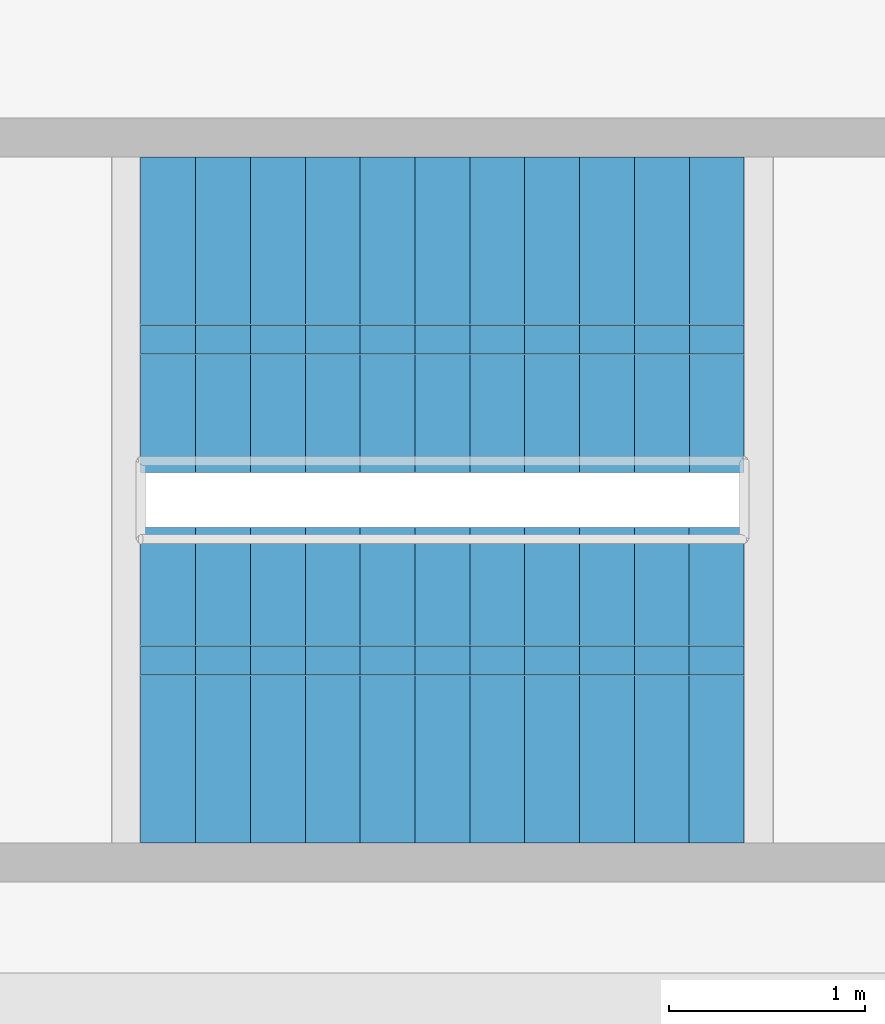
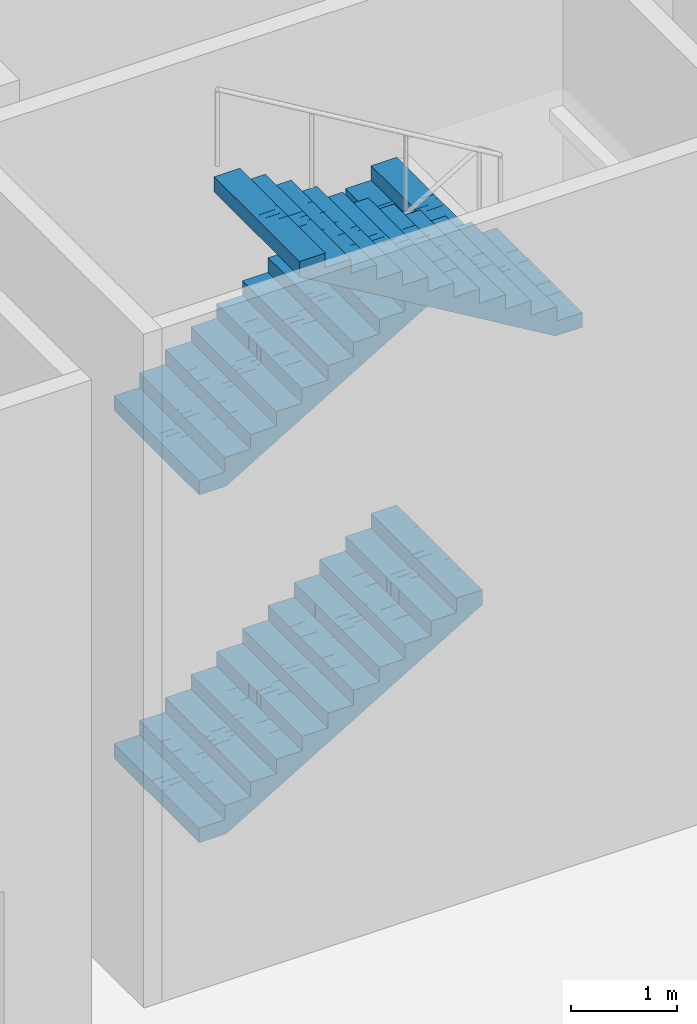
# One storey, part 21 of 25: 3 stair flights, 1 element without a shape of its own.
"""IFC4 building model written with IfcOpenShell, lengths in metres."""

from ifc_helpers import new_model, si_unit, direction, frame, origin, place, context, subcontext, project, spatial, polyline, outline, extrude, material, type_object, element, aggregate, save


model = new_model("IFC4")

# Units and contexts
model_context = context("Model", 3, precision=1e-05, world=origin(), true_north=direction((0.0, 1.0)))
body_context = subcontext(model_context, "Body", "Model", "MODEL_VIEW")
ifc_project = project(units=[si_unit("LENGTHUNIT", "METRE"), si_unit("AREAUNIT", "SQUARE_METRE"), si_unit("VOLUMEUNIT", "CUBIC_METRE"), si_unit("PLANEANGLEUNIT", "RADIAN"), si_unit("MASSUNIT", "GRAM", prefix="KILO")], contexts=[model_context])

# Site, building, storey
site_placement = place(None, origin())
site = spatial("IfcSite", under=ifc_project, at=site_placement, CompositionType="ELEMENT")
building_placement = place(site_placement, origin())
building = spatial("IfcBuilding", under=site, at=building_placement, Name="Mizan Broadcast Tower", CompositionType="ELEMENT")
storey_placement = place(building_placement, frame((0.0, 0.0, 7.0)))
storey = spatial("IfcBuildingStorey", under=building, at=storey_placement, Name="L01", CompositionType="ELEMENT", Elevation=7.0)

# Stair, stair flights
ifc_material_1 = material(Name="Concrete C40/50", Category="concrete")
stair_type = type_object("IfcStairType", Name="EXIT STAIR", PredefinedType="HALF_TURN_STAIR", material=ifc_material_1)
stair_placement = place(storey_placement, origin())
stair = element("IfcStair", 1, at=stair_placement, inside=storey, type_object=stair_type, Name="Stair D L01", PredefinedType="HALF_TURN_STAIR")
ifc_material_2 = material(Name="Concrete C40/50", Category="concrete")
stair_flight_type = type_object("IfcStairFlightType", Name="EXIT STAIR FLIGHT", PredefinedType="STRAIGHT", material=ifc_material_2)
stair_flight_1_placement = place(storey_placement, frame((-24.889892578125, -2.205078125, 0.0), z_axis=(0.0, 0.0, 1.0), x_axis=(1.0, 0.0, 0.0)))
stair_flight_1 = element("IfcStairFlight", 2, at=stair_flight_1_placement, type_object=stair_flight_type, Name="D flight 1", NumberOfRisers=12, NumberOfTreads=11, PredefinedType="STRAIGHT", RiserHeight=0.166666667, TreadLength=0.28, context=body_context, shape_type="SweptSolid", body=[
    extrude(outline(polyline([(0.0, 0.0), (0.0, 0.166748046875), (0.280029296875, 0.166748046875), (0.280029296875, 0.333251953125), (0.56005859375, 0.333251953125), (0.56005859375, 0.5), (0.840087890625, 0.5), (0.840087890625, 0.666748046875), (1.1201171875, 0.666748046875), (1.1201171875, 0.833251953125), (1.39990234375, 0.833251953125), (1.39990234375, 1.0), (1.679931640625, 1.0), (1.679931640625, 1.166748046875), (1.9599609375, 1.166748046875), (1.9599609375, 1.333251953125), (2.239990234375, 1.333251953125), (2.239990234375, 1.5), (2.52001953125, 1.5), (2.52001953125, 1.666748046875), (2.800048828125, 1.666748046875), (2.800048828125, 1.833251953125), (3.080078125, 1.833251953125), (3.080078125, 2.0), (3.080078125, 1.658935546875), (0.29296875, 0.0), (0.0, 0.0)])), frame((0.0, 0.80517578125, 0.0), z_axis=(0.0, -1.0, 0.0), x_axis=(1.0, 0.0, 0.0)), (0.0, 0.0, 1.0), 0.40234375),
    extrude(outline(polyline([(0.0, 0.0), (0.0, 0.166748046875), (0.280029296875, 0.166748046875), (0.280029296875, 0.333251953125), (0.56005859375, 0.333251953125), (0.56005859375, 0.5), (0.840087890625, 0.5), (0.840087890625, 0.666748046875), (1.1201171875, 0.666748046875), (1.1201171875, 0.833251953125), (1.39990234375, 0.833251953125), (1.39990234375, 1.0), (1.679931640625, 1.0), (1.679931640625, 1.166748046875), (1.9599609375, 1.166748046875), (1.9599609375, 1.333251953125), (2.239990234375, 1.333251953125), (2.239990234375, 1.5), (2.52001953125, 1.5), (2.52001953125, 1.666748046875), (2.800048828125, 1.666748046875), (2.800048828125, 1.833251953125), (3.080078125, 1.833251953125), (3.080078125, 2.0), (3.080078125, 1.658935546875), (0.29296875, 0.0), (0.0, 0.0)])), frame((0.0, 0.40234375, 0.0), z_axis=(0.0, -1.0, 0.0), x_axis=(1.0, 0.0, 0.0)), (0.0, 0.0, 1.0), 0.20068359375),
    extrude(outline(polyline([(0.0, 0.0), (0.0, 0.166748046875), (0.280029296875, 0.166748046875), (0.280029296875, 0.333251953125), (0.56005859375, 0.333251953125), (0.56005859375, 0.5), (0.840087890625, 0.5), (0.840087890625, 0.666748046875), (1.1201171875, 0.666748046875), (1.1201171875, 0.833251953125), (1.39990234375, 0.833251953125), (1.39990234375, 1.0), (1.679931640625, 1.0), (1.679931640625, 1.166748046875), (1.9599609375, 1.166748046875), (1.9599609375, 1.333251953125), (2.239990234375, 1.333251953125), (2.239990234375, 1.5), (2.52001953125, 1.5), (2.52001953125, 1.666748046875), (2.800048828125, 1.666748046875), (2.800048828125, 1.833251953125), (3.080078125, 1.833251953125), (3.080078125, 2.0), (3.080078125, 1.658935546875), (0.29296875, 0.0), (0.0, 0.0)])), frame((0.0, 0.201171875, 0.0), z_axis=(0.0, -1.0, 0.0), x_axis=(1.0, 0.0, 0.0)), (0.0, 0.0, 1.0), 0.10009765625),
    extrude(outline(polyline([(0.0, 0.0), (0.0, 0.166748046875), (0.280029296875, 0.166748046875), (0.280029296875, 0.333251953125), (0.56005859375, 0.333251953125), (0.56005859375, 0.5), (0.840087890625, 0.5), (0.840087890625, 0.666748046875), (1.1201171875, 0.666748046875), (1.1201171875, 0.833251953125), (1.39990234375, 0.833251953125), (1.39990234375, 1.0), (1.679931640625, 1.0), (1.679931640625, 1.166748046875), (1.9599609375, 1.166748046875), (1.9599609375, 1.333251953125), (2.239990234375, 1.333251953125), (2.239990234375, 1.5), (2.52001953125, 1.5), (2.52001953125, 1.666748046875), (2.800048828125, 1.666748046875), (2.800048828125, 1.833251953125), (3.080078125, 1.833251953125), (3.080078125, 2.0), (3.080078125, 1.658935546875), (0.29296875, 0.0), (0.0, 0.0)])), frame((0.0, 0.1005859375, 0.0), z_axis=(0.0, -1.0, 0.0), x_axis=(1.0, 0.0, 0.0)), (0.0, 0.0, 1.0), 0.0498046875),
    extrude(outline(polyline([(0.0, 0.0), (0.0, 0.166748046875), (0.280029296875, 0.166748046875), (0.280029296875, 0.333251953125), (0.56005859375, 0.333251953125), (0.56005859375, 0.5), (0.840087890625, 0.5), (0.840087890625, 0.666748046875), (1.1201171875, 0.666748046875), (1.1201171875, 0.833251953125), (1.39990234375, 0.833251953125), (1.39990234375, 1.0), (1.679931640625, 1.0), (1.679931640625, 1.166748046875), (1.9599609375, 1.166748046875), (1.9599609375, 1.333251953125), (2.239990234375, 1.333251953125), (2.239990234375, 1.5), (2.52001953125, 1.5), (2.52001953125, 1.666748046875), (2.800048828125, 1.666748046875), (2.800048828125, 1.833251953125), (3.080078125, 1.833251953125), (3.080078125, 2.0), (3.080078125, 1.658935546875), (0.29296875, 0.0), (0.0, 0.0)])), frame((0.0, 0.05029296875, 0.0), z_axis=(0.0, -1.0, 0.0), x_axis=(1.0, 0.0, 0.0)), (0.0, 0.0, 1.0), 0.024658203125),
    extrude(outline(polyline([(0.0, 0.0), (0.0, 0.166748046875), (0.280029296875, 0.166748046875), (0.280029296875, 0.333251953125), (0.56005859375, 0.333251953125), (0.56005859375, 0.5), (0.840087890625, 0.5), (0.840087890625, 0.666748046875), (1.1201171875, 0.666748046875), (1.1201171875, 0.833251953125), (1.39990234375, 0.833251953125), (1.39990234375, 1.0), (1.679931640625, 1.0), (1.679931640625, 1.166748046875), (1.9599609375, 1.166748046875), (1.9599609375, 1.333251953125), (2.239990234375, 1.333251953125), (2.239990234375, 1.5), (2.52001953125, 1.5), (2.52001953125, 1.666748046875), (2.800048828125, 1.666748046875), (2.800048828125, 1.833251953125), (3.080078125, 1.833251953125), (3.080078125, 2.0), (3.080078125, 1.658935546875), (0.29296875, 0.0), (0.0, 0.0)])), frame((0.0, 0.025146484375, 0.0), z_axis=(0.0, -1.0, 0.0), x_axis=(1.0, 0.0, 0.0)), (0.0, 0.0, 1.0), 0.050048828125),
    extrude(outline(polyline([(0.0, 0.0), (0.0, 0.166748046875), (0.280029296875, 0.166748046875), (0.280029296875, 0.333251953125), (0.56005859375, 0.333251953125), (0.56005859375, 0.5), (0.840087890625, 0.5), (0.840087890625, 0.666748046875), (1.1201171875, 0.666748046875), (1.1201171875, 0.833251953125), (1.39990234375, 0.833251953125), (1.39990234375, 1.0), (1.679931640625, 1.0), (1.679931640625, 1.166748046875), (1.9599609375, 1.166748046875), (1.9599609375, 1.333251953125), (2.239990234375, 1.333251953125), (2.239990234375, 1.5), (2.52001953125, 1.5), (2.52001953125, 1.666748046875), (2.800048828125, 1.666748046875), (2.800048828125, 1.833251953125), (3.080078125, 1.833251953125), (3.080078125, 2.0), (3.080078125, 1.658935546875), (0.29296875, 0.0), (0.0, 0.0)])), frame((0.0, -0.025390625, 0.0), z_axis=(0.0, -1.0, 0.0), x_axis=(1.0, 0.0, 0.0)), (0.0, 0.0, 1.0), 0.024658203125),
    extrude(outline(polyline([(0.0, 0.0), (0.0, 0.166748046875), (0.280029296875, 0.166748046875), (0.280029296875, 0.333251953125), (0.56005859375, 0.333251953125), (0.56005859375, 0.5), (0.840087890625, 0.5), (0.840087890625, 0.666748046875), (1.1201171875, 0.666748046875), (1.1201171875, 0.833251953125), (1.39990234375, 0.833251953125), (1.39990234375, 1.0), (1.679931640625, 1.0), (1.679931640625, 1.166748046875), (1.9599609375, 1.166748046875), (1.9599609375, 1.333251953125), (2.239990234375, 1.333251953125), (2.239990234375, 1.5), (2.52001953125, 1.5), (2.52001953125, 1.666748046875), (2.800048828125, 1.666748046875), (2.800048828125, 1.833251953125), (3.080078125, 1.833251953125), (3.080078125, 2.0), (3.080078125, 1.658935546875), (0.29296875, 0.0), (0.0, 0.0)])), frame((0.0, -0.050537109375, 0.0), z_axis=(0.0, -1.0, 0.0), x_axis=(1.0, 0.0, 0.0)), (0.0, 0.0, 1.0), 0.0498046875),
    extrude(outline(polyline([(0.0, 0.0), (0.0, 0.166748046875), (0.280029296875, 0.166748046875), (0.280029296875, 0.333251953125), (0.56005859375, 0.333251953125), (0.56005859375, 0.5), (0.840087890625, 0.5), (0.840087890625, 0.666748046875), (1.1201171875, 0.666748046875), (1.1201171875, 0.833251953125), (1.39990234375, 0.833251953125), (1.39990234375, 1.0), (1.679931640625, 1.0), (1.679931640625, 1.166748046875), (1.9599609375, 1.166748046875), (1.9599609375, 1.333251953125), (2.239990234375, 1.333251953125), (2.239990234375, 1.5), (2.52001953125, 1.5), (2.52001953125, 1.666748046875), (2.800048828125, 1.666748046875), (2.800048828125, 1.833251953125), (3.080078125, 1.833251953125), (3.080078125, 2.0), (3.080078125, 1.658935546875), (0.29296875, 0.0), (0.0, 0.0)])), frame((0.0, -0.100830078125, 0.0), z_axis=(0.0, -1.0, 0.0), x_axis=(1.0, 0.0, 0.0)), (0.0, 0.0, 1.0), 0.10009765625),
    extrude(outline(polyline([(0.0, 0.0), (0.0, 0.166748046875), (0.280029296875, 0.166748046875), (0.280029296875, 0.333251953125), (0.56005859375, 0.333251953125), (0.56005859375, 0.5), (0.840087890625, 0.5), (0.840087890625, 0.666748046875), (1.1201171875, 0.666748046875), (1.1201171875, 0.833251953125), (1.39990234375, 0.833251953125), (1.39990234375, 1.0), (1.679931640625, 1.0), (1.679931640625, 1.166748046875), (1.9599609375, 1.166748046875), (1.9599609375, 1.333251953125), (2.239990234375, 1.333251953125), (2.239990234375, 1.5), (2.52001953125, 1.5), (2.52001953125, 1.666748046875), (2.800048828125, 1.666748046875), (2.800048828125, 1.833251953125), (3.080078125, 1.833251953125), (3.080078125, 2.0), (3.080078125, 1.658935546875), (0.29296875, 0.0), (0.0, 0.0)])), frame((0.0, -0.201416015625, 0.0), z_axis=(0.0, -1.0, 0.0), x_axis=(1.0, 0.0, 0.0)), (0.0, 0.0, 1.0), 0.20068359375),
    extrude(outline(polyline([(0.0, 0.0), (0.0, 0.166748046875), (0.280029296875, 0.166748046875), (0.280029296875, 0.333251953125), (0.56005859375, 0.333251953125), (0.56005859375, 0.5), (0.840087890625, 0.5), (0.840087890625, 0.666748046875), (1.1201171875, 0.666748046875), (1.1201171875, 0.833251953125), (1.39990234375, 0.833251953125), (1.39990234375, 1.0), (1.679931640625, 1.0), (1.679931640625, 1.166748046875), (1.9599609375, 1.166748046875), (1.9599609375, 1.333251953125), (2.239990234375, 1.333251953125), (2.239990234375, 1.5), (2.52001953125, 1.5), (2.52001953125, 1.666748046875), (2.800048828125, 1.666748046875), (2.800048828125, 1.833251953125), (3.080078125, 1.833251953125), (3.080078125, 2.0), (3.080078125, 1.658935546875), (0.29296875, 0.0), (0.0, 0.0)])), frame((0.0, -0.402587890625, 0.0), z_axis=(0.0, -1.0, 0.0), x_axis=(1.0, 0.0, 0.0)), (0.0, 0.0, 1.0), 0.40234375),
])
stair_flight_2_placement = place(storey_placement, frame((-24.889892578125, -2.205078125, 4.0), z_axis=(0.0, 0.0, 1.0), x_axis=(1.0, 0.0, 0.0)))
stair_flight_2 = element("IfcStairFlight", 3, at=stair_flight_2_placement, type_object=stair_flight_type, Name="D flight 3", NumberOfRisers=12, NumberOfTreads=11, PredefinedType="STRAIGHT", RiserHeight=0.166666667, TreadLength=0.28, context=body_context, shape_type="SweptSolid", body=[
    extrude(outline(polyline([(0.0, 0.0), (0.0, 0.166748046875), (0.280029296875, 0.166748046875), (0.280029296875, 0.333251953125), (0.56005859375, 0.333251953125), (0.56005859375, 0.5), (0.840087890625, 0.5), (0.840087890625, 0.666748046875), (1.1201171875, 0.666748046875), (1.1201171875, 0.833251953125), (1.39990234375, 0.833251953125), (1.39990234375, 1.0), (1.679931640625, 1.0), (1.679931640625, 1.166748046875), (1.9599609375, 1.166748046875), (1.9599609375, 1.333251953125), (2.239990234375, 1.333251953125), (2.239990234375, 1.5), (2.52001953125, 1.5), (2.52001953125, 1.666748046875), (2.800048828125, 1.666748046875), (2.800048828125, 1.833251953125), (3.080078125, 1.833251953125), (3.080078125, 2.0), (3.080078125, 1.658935546875), (0.29296875, 0.0), (0.0, 0.0)])), frame((0.0, 0.80517578125, 0.0), z_axis=(0.0, -1.0, 0.0), x_axis=(1.0, 0.0, 0.0)), (0.0, 0.0, 1.0), 0.40234375),
    extrude(outline(polyline([(0.0, 0.0), (0.0, 0.166748046875), (0.280029296875, 0.166748046875), (0.280029296875, 0.333251953125), (0.56005859375, 0.333251953125), (0.56005859375, 0.5), (0.840087890625, 0.5), (0.840087890625, 0.666748046875), (1.1201171875, 0.666748046875), (1.1201171875, 0.833251953125), (1.39990234375, 0.833251953125), (1.39990234375, 1.0), (1.679931640625, 1.0), (1.679931640625, 1.166748046875), (1.9599609375, 1.166748046875), (1.9599609375, 1.333251953125), (2.239990234375, 1.333251953125), (2.239990234375, 1.5), (2.52001953125, 1.5), (2.52001953125, 1.666748046875), (2.800048828125, 1.666748046875), (2.800048828125, 1.833251953125), (3.080078125, 1.833251953125), (3.080078125, 2.0), (3.080078125, 1.658935546875), (0.29296875, 0.0), (0.0, 0.0)])), frame((0.0, 0.40234375, 0.0), z_axis=(0.0, -1.0, 0.0), x_axis=(1.0, 0.0, 0.0)), (0.0, 0.0, 1.0), 0.20068359375),
    extrude(outline(polyline([(0.0, 0.0), (0.0, 0.166748046875), (0.280029296875, 0.166748046875), (0.280029296875, 0.333251953125), (0.56005859375, 0.333251953125), (0.56005859375, 0.5), (0.840087890625, 0.5), (0.840087890625, 0.666748046875), (1.1201171875, 0.666748046875), (1.1201171875, 0.833251953125), (1.39990234375, 0.833251953125), (1.39990234375, 1.0), (1.679931640625, 1.0), (1.679931640625, 1.166748046875), (1.9599609375, 1.166748046875), (1.9599609375, 1.333251953125), (2.239990234375, 1.333251953125), (2.239990234375, 1.5), (2.52001953125, 1.5), (2.52001953125, 1.666748046875), (2.800048828125, 1.666748046875), (2.800048828125, 1.833251953125), (3.080078125, 1.833251953125), (3.080078125, 2.0), (3.080078125, 1.658935546875), (0.29296875, 0.0), (0.0, 0.0)])), frame((0.0, 0.201171875, 0.0), z_axis=(0.0, -1.0, 0.0), x_axis=(1.0, 0.0, 0.0)), (0.0, 0.0, 1.0), 0.10009765625),
    extrude(outline(polyline([(0.0, 0.0), (0.0, 0.166748046875), (0.280029296875, 0.166748046875), (0.280029296875, 0.333251953125), (0.56005859375, 0.333251953125), (0.56005859375, 0.5), (0.840087890625, 0.5), (0.840087890625, 0.666748046875), (1.1201171875, 0.666748046875), (1.1201171875, 0.833251953125), (1.39990234375, 0.833251953125), (1.39990234375, 1.0), (1.679931640625, 1.0), (1.679931640625, 1.166748046875), (1.9599609375, 1.166748046875), (1.9599609375, 1.333251953125), (2.239990234375, 1.333251953125), (2.239990234375, 1.5), (2.52001953125, 1.5), (2.52001953125, 1.666748046875), (2.800048828125, 1.666748046875), (2.800048828125, 1.833251953125), (3.080078125, 1.833251953125), (3.080078125, 2.0), (3.080078125, 1.658935546875), (0.29296875, 0.0), (0.0, 0.0)])), frame((0.0, 0.1005859375, 0.0), z_axis=(0.0, -1.0, 0.0), x_axis=(1.0, 0.0, 0.0)), (0.0, 0.0, 1.0), 0.0498046875),
    extrude(outline(polyline([(0.0, 0.0), (0.0, 0.166748046875), (0.280029296875, 0.166748046875), (0.280029296875, 0.333251953125), (0.56005859375, 0.333251953125), (0.56005859375, 0.5), (0.840087890625, 0.5), (0.840087890625, 0.666748046875), (1.1201171875, 0.666748046875), (1.1201171875, 0.833251953125), (1.39990234375, 0.833251953125), (1.39990234375, 1.0), (1.679931640625, 1.0), (1.679931640625, 1.166748046875), (1.9599609375, 1.166748046875), (1.9599609375, 1.333251953125), (2.239990234375, 1.333251953125), (2.239990234375, 1.5), (2.52001953125, 1.5), (2.52001953125, 1.666748046875), (2.800048828125, 1.666748046875), (2.800048828125, 1.833251953125), (3.080078125, 1.833251953125), (3.080078125, 2.0), (3.080078125, 1.658935546875), (0.29296875, 0.0), (0.0, 0.0)])), frame((0.0, 0.05029296875, 0.0), z_axis=(0.0, -1.0, 0.0), x_axis=(1.0, 0.0, 0.0)), (0.0, 0.0, 1.0), 0.024658203125),
    extrude(outline(polyline([(0.0, 0.0), (0.0, 0.166748046875), (0.280029296875, 0.166748046875), (0.280029296875, 0.333251953125), (0.56005859375, 0.333251953125), (0.56005859375, 0.5), (0.840087890625, 0.5), (0.840087890625, 0.666748046875), (1.1201171875, 0.666748046875), (1.1201171875, 0.833251953125), (1.39990234375, 0.833251953125), (1.39990234375, 1.0), (1.679931640625, 1.0), (1.679931640625, 1.166748046875), (1.9599609375, 1.166748046875), (1.9599609375, 1.333251953125), (2.239990234375, 1.333251953125), (2.239990234375, 1.5), (2.52001953125, 1.5), (2.52001953125, 1.666748046875), (2.800048828125, 1.666748046875), (2.800048828125, 1.833251953125), (3.080078125, 1.833251953125), (3.080078125, 2.0), (3.080078125, 1.658935546875), (0.29296875, 0.0), (0.0, 0.0)])), frame((0.0, 0.025146484375, 0.0), z_axis=(0.0, -1.0, 0.0), x_axis=(1.0, 0.0, 0.0)), (0.0, 0.0, 1.0), 0.050048828125),
    extrude(outline(polyline([(0.0, 0.0), (0.0, 0.166748046875), (0.280029296875, 0.166748046875), (0.280029296875, 0.333251953125), (0.56005859375, 0.333251953125), (0.56005859375, 0.5), (0.840087890625, 0.5), (0.840087890625, 0.666748046875), (1.1201171875, 0.666748046875), (1.1201171875, 0.833251953125), (1.39990234375, 0.833251953125), (1.39990234375, 1.0), (1.679931640625, 1.0), (1.679931640625, 1.166748046875), (1.9599609375, 1.166748046875), (1.9599609375, 1.333251953125), (2.239990234375, 1.333251953125), (2.239990234375, 1.5), (2.52001953125, 1.5), (2.52001953125, 1.666748046875), (2.800048828125, 1.666748046875), (2.800048828125, 1.833251953125), (3.080078125, 1.833251953125), (3.080078125, 2.0), (3.080078125, 1.658935546875), (0.29296875, 0.0), (0.0, 0.0)])), frame((0.0, -0.025390625, 0.0), z_axis=(0.0, -1.0, 0.0), x_axis=(1.0, 0.0, 0.0)), (0.0, 0.0, 1.0), 0.024658203125),
    extrude(outline(polyline([(0.0, 0.0), (0.0, 0.166748046875), (0.280029296875, 0.166748046875), (0.280029296875, 0.333251953125), (0.56005859375, 0.333251953125), (0.56005859375, 0.5), (0.840087890625, 0.5), (0.840087890625, 0.666748046875), (1.1201171875, 0.666748046875), (1.1201171875, 0.833251953125), (1.39990234375, 0.833251953125), (1.39990234375, 1.0), (1.679931640625, 1.0), (1.679931640625, 1.166748046875), (1.9599609375, 1.166748046875), (1.9599609375, 1.333251953125), (2.239990234375, 1.333251953125), (2.239990234375, 1.5), (2.52001953125, 1.5), (2.52001953125, 1.666748046875), (2.800048828125, 1.666748046875), (2.800048828125, 1.833251953125), (3.080078125, 1.833251953125), (3.080078125, 2.0), (3.080078125, 1.658935546875), (0.29296875, 0.0), (0.0, 0.0)])), frame((0.0, -0.050537109375, 0.0), z_axis=(0.0, -1.0, 0.0), x_axis=(1.0, 0.0, 0.0)), (0.0, 0.0, 1.0), 0.0498046875),
    extrude(outline(polyline([(0.0, 0.0), (0.0, 0.166748046875), (0.280029296875, 0.166748046875), (0.280029296875, 0.333251953125), (0.56005859375, 0.333251953125), (0.56005859375, 0.5), (0.840087890625, 0.5), (0.840087890625, 0.666748046875), (1.1201171875, 0.666748046875), (1.1201171875, 0.833251953125), (1.39990234375, 0.833251953125), (1.39990234375, 1.0), (1.679931640625, 1.0), (1.679931640625, 1.166748046875), (1.9599609375, 1.166748046875), (1.9599609375, 1.333251953125), (2.239990234375, 1.333251953125), (2.239990234375, 1.5), (2.52001953125, 1.5), (2.52001953125, 1.666748046875), (2.800048828125, 1.666748046875), (2.800048828125, 1.833251953125), (3.080078125, 1.833251953125), (3.080078125, 2.0), (3.080078125, 1.658935546875), (0.29296875, 0.0), (0.0, 0.0)])), frame((0.0, -0.100830078125, 0.0), z_axis=(0.0, -1.0, 0.0), x_axis=(1.0, 0.0, 0.0)), (0.0, 0.0, 1.0), 0.10009765625),
    extrude(outline(polyline([(0.0, 0.0), (0.0, 0.166748046875), (0.280029296875, 0.166748046875), (0.280029296875, 0.333251953125), (0.56005859375, 0.333251953125), (0.56005859375, 0.5), (0.840087890625, 0.5), (0.840087890625, 0.666748046875), (1.1201171875, 0.666748046875), (1.1201171875, 0.833251953125), (1.39990234375, 0.833251953125), (1.39990234375, 1.0), (1.679931640625, 1.0), (1.679931640625, 1.166748046875), (1.9599609375, 1.166748046875), (1.9599609375, 1.333251953125), (2.239990234375, 1.333251953125), (2.239990234375, 1.5), (2.52001953125, 1.5), (2.52001953125, 1.666748046875), (2.800048828125, 1.666748046875), (2.800048828125, 1.833251953125), (3.080078125, 1.833251953125), (3.080078125, 2.0), (3.080078125, 1.658935546875), (0.29296875, 0.0), (0.0, 0.0)])), frame((0.0, -0.201416015625, 0.0), z_axis=(0.0, -1.0, 0.0), x_axis=(1.0, 0.0, 0.0)), (0.0, 0.0, 1.0), 0.20068359375),
    extrude(outline(polyline([(0.0, 0.0), (0.0, 0.166748046875), (0.280029296875, 0.166748046875), (0.280029296875, 0.333251953125), (0.56005859375, 0.333251953125), (0.56005859375, 0.5), (0.840087890625, 0.5), (0.840087890625, 0.666748046875), (1.1201171875, 0.666748046875), (1.1201171875, 0.833251953125), (1.39990234375, 0.833251953125), (1.39990234375, 1.0), (1.679931640625, 1.0), (1.679931640625, 1.166748046875), (1.9599609375, 1.166748046875), (1.9599609375, 1.333251953125), (2.239990234375, 1.333251953125), (2.239990234375, 1.5), (2.52001953125, 1.5), (2.52001953125, 1.666748046875), (2.800048828125, 1.666748046875), (2.800048828125, 1.833251953125), (3.080078125, 1.833251953125), (3.080078125, 2.0), (3.080078125, 1.658935546875), (0.29296875, 0.0), (0.0, 0.0)])), frame((0.0, -0.402587890625, 0.0), z_axis=(0.0, -1.0, 0.0), x_axis=(1.0, 0.0, 0.0)), (0.0, 0.0, 1.0), 0.40234375),
])
stair_flight_3_placement = place(storey_placement, frame((-21.81005859375, -4.094970703125, 6.0), z_axis=(0.0, 0.0, 1.0), x_axis=(-1.0, 0.0, 0.0)))
stair_flight_3 = element("IfcStairFlight", 4, at=stair_flight_3_placement, type_object=stair_flight_type, Name="D flight 4", NumberOfRisers=12, NumberOfTreads=11, PredefinedType="STRAIGHT", RiserHeight=0.166666667, TreadLength=0.28, context=body_context, shape_type="SweptSolid", body=[
    extrude(outline(polyline([(0.0, 0.0), (0.0, 0.166748046875), (0.280029296875, 0.166748046875), (0.280029296875, 0.333251953125), (0.56005859375, 0.333251953125), (0.56005859375, 0.5), (0.840087890625, 0.5), (0.840087890625, 0.666748046875), (1.1201171875, 0.666748046875), (1.1201171875, 0.833251953125), (1.39990234375, 0.833251953125), (1.39990234375, 1.0), (1.679931640625, 1.0), (1.679931640625, 1.166748046875), (1.9599609375, 1.166748046875), (1.9599609375, 1.333251953125), (2.239990234375, 1.333251953125), (2.239990234375, 1.5), (2.52001953125, 1.5), (2.52001953125, 1.666748046875), (2.800048828125, 1.666748046875), (2.800048828125, 1.833251953125), (3.080078125, 1.833251953125), (3.080078125, 2.0), (3.080078125, 1.658935546875), (0.29296875, 0.0), (0.0, 0.0)])), frame((0.0, 0.80517578125, 0.0), z_axis=(0.0, -1.0, 0.0), x_axis=(1.0, 0.0, 0.0)), (0.0, 0.0, 1.0), 0.40234375),
    extrude(outline(polyline([(0.0, 0.0), (0.0, 0.166748046875), (0.280029296875, 0.166748046875), (0.280029296875, 0.333251953125), (0.56005859375, 0.333251953125), (0.56005859375, 0.5), (0.840087890625, 0.5), (0.840087890625, 0.666748046875), (1.1201171875, 0.666748046875), (1.1201171875, 0.833251953125), (1.39990234375, 0.833251953125), (1.39990234375, 1.0), (1.679931640625, 1.0), (1.679931640625, 1.166748046875), (1.9599609375, 1.166748046875), (1.9599609375, 1.333251953125), (2.239990234375, 1.333251953125), (2.239990234375, 1.5), (2.52001953125, 1.5), (2.52001953125, 1.666748046875), (2.800048828125, 1.666748046875), (2.800048828125, 1.833251953125), (3.080078125, 1.833251953125), (3.080078125, 2.0), (3.080078125, 1.658935546875), (0.29296875, 0.0), (0.0, 0.0)])), frame((0.0, 0.40234375, 0.0), z_axis=(0.0, -1.0, 0.0), x_axis=(1.0, 0.0, 0.0)), (0.0, 0.0, 1.0), 0.20068359375),
    extrude(outline(polyline([(0.0, 0.0), (0.0, 0.166748046875), (0.280029296875, 0.166748046875), (0.280029296875, 0.333251953125), (0.56005859375, 0.333251953125), (0.56005859375, 0.5), (0.840087890625, 0.5), (0.840087890625, 0.666748046875), (1.1201171875, 0.666748046875), (1.1201171875, 0.833251953125), (1.39990234375, 0.833251953125), (1.39990234375, 1.0), (1.679931640625, 1.0), (1.679931640625, 1.166748046875), (1.9599609375, 1.166748046875), (1.9599609375, 1.333251953125), (2.239990234375, 1.333251953125), (2.239990234375, 1.5), (2.52001953125, 1.5), (2.52001953125, 1.666748046875), (2.800048828125, 1.666748046875), (2.800048828125, 1.833251953125), (3.080078125, 1.833251953125), (3.080078125, 2.0), (3.080078125, 1.658935546875), (0.29296875, 0.0), (0.0, 0.0)])), frame((0.0, 0.201171875, 0.0), z_axis=(0.0, -1.0, 0.0), x_axis=(1.0, 0.0, 0.0)), (0.0, 0.0, 1.0), 0.10009765625),
    extrude(outline(polyline([(0.0, 0.0), (0.0, 0.166748046875), (0.280029296875, 0.166748046875), (0.280029296875, 0.333251953125), (0.56005859375, 0.333251953125), (0.56005859375, 0.5), (0.840087890625, 0.5), (0.840087890625, 0.666748046875), (1.1201171875, 0.666748046875), (1.1201171875, 0.833251953125), (1.39990234375, 0.833251953125), (1.39990234375, 1.0), (1.679931640625, 1.0), (1.679931640625, 1.166748046875), (1.9599609375, 1.166748046875), (1.9599609375, 1.333251953125), (2.239990234375, 1.333251953125), (2.239990234375, 1.5), (2.52001953125, 1.5), (2.52001953125, 1.666748046875), (2.800048828125, 1.666748046875), (2.800048828125, 1.833251953125), (3.080078125, 1.833251953125), (3.080078125, 2.0), (3.080078125, 1.658935546875), (0.29296875, 0.0), (0.0, 0.0)])), frame((0.0, 0.1005859375, 0.0), z_axis=(0.0, -1.0, 0.0), x_axis=(1.0, 0.0, 0.0)), (0.0, 0.0, 1.0), 0.0498046875),
    extrude(outline(polyline([(0.0, 0.0), (0.0, 0.166748046875), (0.280029296875, 0.166748046875), (0.280029296875, 0.333251953125), (0.56005859375, 0.333251953125), (0.56005859375, 0.5), (0.840087890625, 0.5), (0.840087890625, 0.666748046875), (1.1201171875, 0.666748046875), (1.1201171875, 0.833251953125), (1.39990234375, 0.833251953125), (1.39990234375, 1.0), (1.679931640625, 1.0), (1.679931640625, 1.166748046875), (1.9599609375, 1.166748046875), (1.9599609375, 1.333251953125), (2.239990234375, 1.333251953125), (2.239990234375, 1.5), (2.52001953125, 1.5), (2.52001953125, 1.666748046875), (2.800048828125, 1.666748046875), (2.800048828125, 1.833251953125), (3.080078125, 1.833251953125), (3.080078125, 2.0), (3.080078125, 1.658935546875), (0.29296875, 0.0), (0.0, 0.0)])), frame((0.0, 0.05029296875, 0.0), z_axis=(0.0, -1.0, 0.0), x_axis=(1.0, 0.0, 0.0)), (0.0, 0.0, 1.0), 0.024658203125),
    extrude(outline(polyline([(0.0, 0.0), (0.0, 0.166748046875), (0.280029296875, 0.166748046875), (0.280029296875, 0.333251953125), (0.56005859375, 0.333251953125), (0.56005859375, 0.5), (0.840087890625, 0.5), (0.840087890625, 0.666748046875), (1.1201171875, 0.666748046875), (1.1201171875, 0.833251953125), (1.39990234375, 0.833251953125), (1.39990234375, 1.0), (1.679931640625, 1.0), (1.679931640625, 1.166748046875), (1.9599609375, 1.166748046875), (1.9599609375, 1.333251953125), (2.239990234375, 1.333251953125), (2.239990234375, 1.5), (2.52001953125, 1.5), (2.52001953125, 1.666748046875), (2.800048828125, 1.666748046875), (2.800048828125, 1.833251953125), (3.080078125, 1.833251953125), (3.080078125, 2.0), (3.080078125, 1.658935546875), (0.29296875, 0.0), (0.0, 0.0)])), frame((0.0, 0.025146484375, 0.0), z_axis=(0.0, -1.0, 0.0), x_axis=(1.0, 0.0, 0.0)), (0.0, 0.0, 1.0), 0.050048828125),
    extrude(outline(polyline([(0.0, 0.0), (0.0, 0.166748046875), (0.280029296875, 0.166748046875), (0.280029296875, 0.333251953125), (0.56005859375, 0.333251953125), (0.56005859375, 0.5), (0.840087890625, 0.5), (0.840087890625, 0.666748046875), (1.1201171875, 0.666748046875), (1.1201171875, 0.833251953125), (1.39990234375, 0.833251953125), (1.39990234375, 1.0), (1.679931640625, 1.0), (1.679931640625, 1.166748046875), (1.9599609375, 1.166748046875), (1.9599609375, 1.333251953125), (2.239990234375, 1.333251953125), (2.239990234375, 1.5), (2.52001953125, 1.5), (2.52001953125, 1.666748046875), (2.800048828125, 1.666748046875), (2.800048828125, 1.833251953125), (3.080078125, 1.833251953125), (3.080078125, 2.0), (3.080078125, 1.658935546875), (0.29296875, 0.0), (0.0, 0.0)])), frame((0.0, -0.025390625, 0.0), z_axis=(0.0, -1.0, 0.0), x_axis=(1.0, 0.0, 0.0)), (0.0, 0.0, 1.0), 0.024658203125),
    extrude(outline(polyline([(0.0, 0.0), (0.0, 0.166748046875), (0.280029296875, 0.166748046875), (0.280029296875, 0.333251953125), (0.56005859375, 0.333251953125), (0.56005859375, 0.5), (0.840087890625, 0.5), (0.840087890625, 0.666748046875), (1.1201171875, 0.666748046875), (1.1201171875, 0.833251953125), (1.39990234375, 0.833251953125), (1.39990234375, 1.0), (1.679931640625, 1.0), (1.679931640625, 1.166748046875), (1.9599609375, 1.166748046875), (1.9599609375, 1.333251953125), (2.239990234375, 1.333251953125), (2.239990234375, 1.5), (2.52001953125, 1.5), (2.52001953125, 1.666748046875), (2.800048828125, 1.666748046875), (2.800048828125, 1.833251953125), (3.080078125, 1.833251953125), (3.080078125, 2.0), (3.080078125, 1.658935546875), (0.29296875, 0.0), (0.0, 0.0)])), frame((0.0, -0.050537109375, 0.0), z_axis=(0.0, -1.0, 0.0), x_axis=(1.0, 0.0, 0.0)), (0.0, 0.0, 1.0), 0.0498046875),
    extrude(outline(polyline([(0.0, 0.0), (0.0, 0.166748046875), (0.280029296875, 0.166748046875), (0.280029296875, 0.333251953125), (0.56005859375, 0.333251953125), (0.56005859375, 0.5), (0.840087890625, 0.5), (0.840087890625, 0.666748046875), (1.1201171875, 0.666748046875), (1.1201171875, 0.833251953125), (1.39990234375, 0.833251953125), (1.39990234375, 1.0), (1.679931640625, 1.0), (1.679931640625, 1.166748046875), (1.9599609375, 1.166748046875), (1.9599609375, 1.333251953125), (2.239990234375, 1.333251953125), (2.239990234375, 1.5), (2.52001953125, 1.5), (2.52001953125, 1.666748046875), (2.800048828125, 1.666748046875), (2.800048828125, 1.833251953125), (3.080078125, 1.833251953125), (3.080078125, 2.0), (3.080078125, 1.658935546875), (0.29296875, 0.0), (0.0, 0.0)])), frame((0.0, -0.100830078125, 0.0), z_axis=(0.0, -1.0, 0.0), x_axis=(1.0, 0.0, 0.0)), (0.0, 0.0, 1.0), 0.10009765625),
    extrude(outline(polyline([(0.0, 0.0), (0.0, 0.166748046875), (0.280029296875, 0.166748046875), (0.280029296875, 0.333251953125), (0.56005859375, 0.333251953125), (0.56005859375, 0.5), (0.840087890625, 0.5), (0.840087890625, 0.666748046875), (1.1201171875, 0.666748046875), (1.1201171875, 0.833251953125), (1.39990234375, 0.833251953125), (1.39990234375, 1.0), (1.679931640625, 1.0), (1.679931640625, 1.166748046875), (1.9599609375, 1.166748046875), (1.9599609375, 1.333251953125), (2.239990234375, 1.333251953125), (2.239990234375, 1.5), (2.52001953125, 1.5), (2.52001953125, 1.666748046875), (2.800048828125, 1.666748046875), (2.800048828125, 1.833251953125), (3.080078125, 1.833251953125), (3.080078125, 2.0), (3.080078125, 1.658935546875), (0.29296875, 0.0), (0.0, 0.0)])), frame((0.0, -0.201416015625, 0.0), z_axis=(0.0, -1.0, 0.0), x_axis=(1.0, 0.0, 0.0)), (0.0, 0.0, 1.0), 0.20068359375),
    extrude(outline(polyline([(0.0, 0.0), (0.0, 0.166748046875), (0.280029296875, 0.166748046875), (0.280029296875, 0.333251953125), (0.56005859375, 0.333251953125), (0.56005859375, 0.5), (0.840087890625, 0.5), (0.840087890625, 0.666748046875), (1.1201171875, 0.666748046875), (1.1201171875, 0.833251953125), (1.39990234375, 0.833251953125), (1.39990234375, 1.0), (1.679931640625, 1.0), (1.679931640625, 1.166748046875), (1.9599609375, 1.166748046875), (1.9599609375, 1.333251953125), (2.239990234375, 1.333251953125), (2.239990234375, 1.5), (2.52001953125, 1.5), (2.52001953125, 1.666748046875), (2.800048828125, 1.666748046875), (2.800048828125, 1.833251953125), (3.080078125, 1.833251953125), (3.080078125, 2.0), (3.080078125, 1.658935546875), (0.29296875, 0.0), (0.0, 0.0)])), frame((0.0, -0.402587890625, 0.0), z_axis=(0.0, -1.0, 0.0), x_axis=(1.0, 0.0, 0.0)), (0.0, 0.0, 1.0), 0.40234375),
])
aggregate(stair, [stair_flight_1, stair_flight_2, stair_flight_3])

save(model, "model.ifc")
